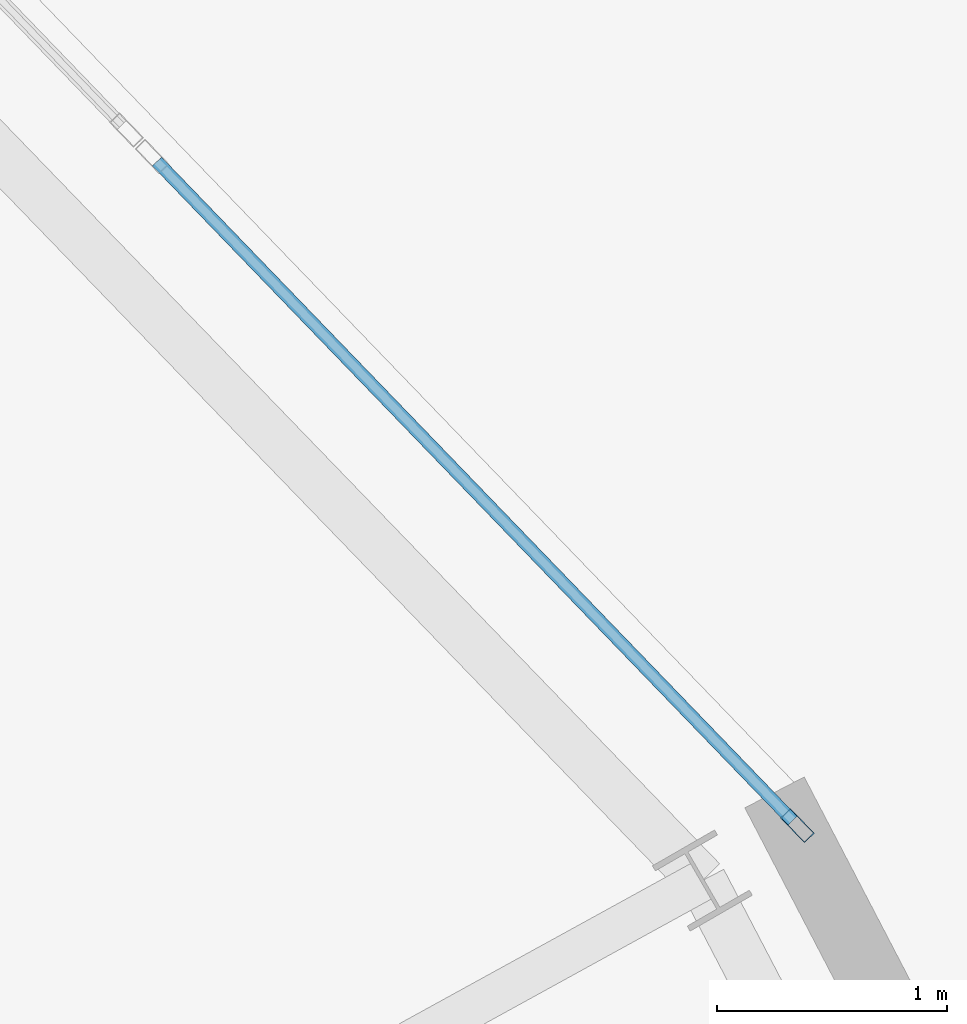
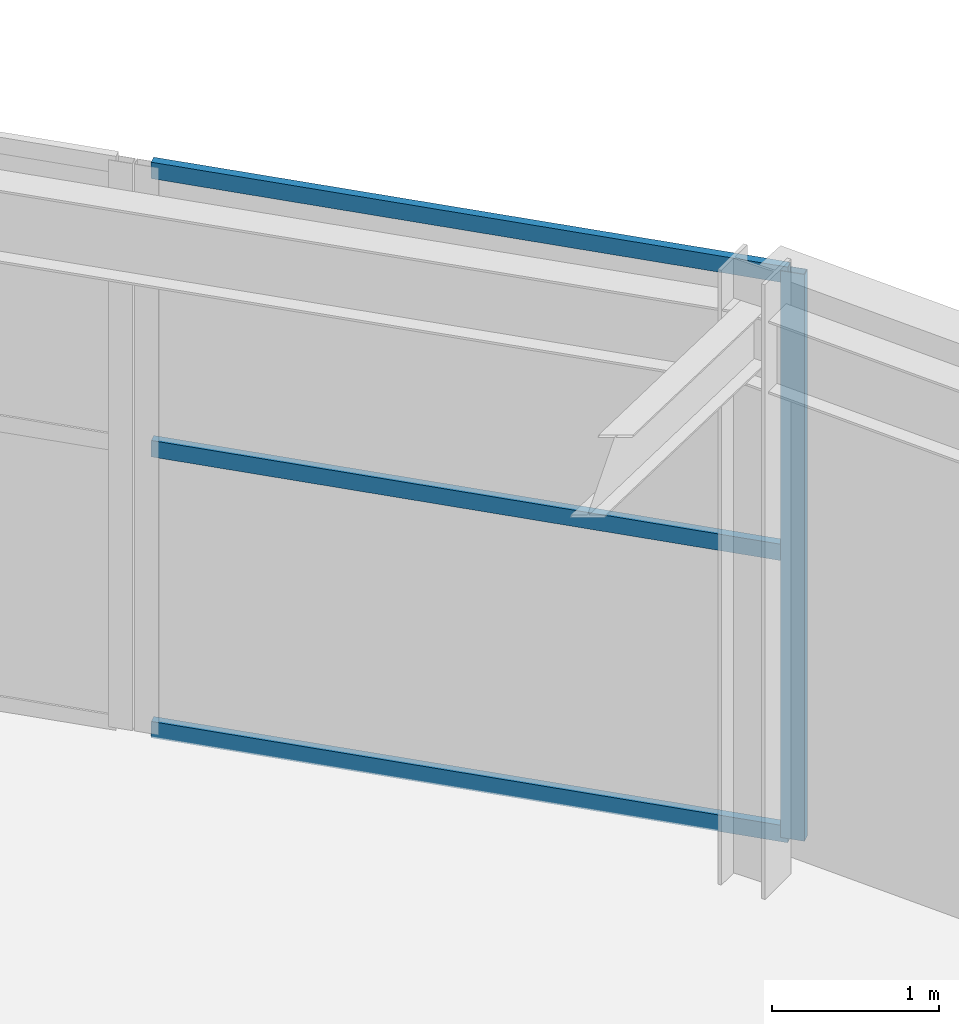
# One storey, part 90 of 126: 4 members, 1 element without a shape of its own.
"""IFC4 building model written with IfcOpenShell, lengths in metres."""

from ifc_helpers import new_model, si_unit, direction, frame, origin, origin_2d, place, context, subcontext, project, spatial, hollow_rectangle, extrude, material, layer, layer_set, material_profile, profile_set, type_object, element, aggregate, save


model = new_model("IFC4")

# Units and contexts
model_context = context("Model", 3, precision=1e-05, world=origin(), true_north=direction((0.0, 1.0)))
body_context = subcontext(model_context, "Body", "Model", "MODEL_VIEW")
ifc_project = project(units=[si_unit("LENGTHUNIT", "METRE"), si_unit("AREAUNIT", "SQUARE_METRE"), si_unit("VOLUMEUNIT", "CUBIC_METRE"), si_unit("PLANEANGLEUNIT", "RADIAN"), si_unit("MASSUNIT", "GRAM", prefix="KILO")], contexts=[model_context])

# Site, building, storey
site_placement = place(None, origin())
site = spatial("IfcSite", under=ifc_project, at=site_placement, CompositionType="ELEMENT")
building_placement = place(site_placement, origin())
building = spatial("IfcBuilding", under=site, at=building_placement, Name="Kalgoora Escarpment Arena", CompositionType="ELEMENT")
storey_placement = place(building_placement, frame((0.0, 0.0, 18.89990234375)))
storey = spatial("IfcBuildingStorey", under=building, at=storey_placement, Name="L04", CompositionType="ELEMENT", Elevation=18.89990234375)

# Curtain wall, members
ifc_material_1 = material(Name=" Champagne anodised aluminium & double-glazed low-E", Category="aluminium")
ifc_layer = layer(ifc_material_1, 0.162109375)
ifc_layer_set = layer_set([ifc_layer], Name="CW-UNIT-18")
curtain_wall_type = type_object("IfcCurtainWallType", Name="CW-UNIT-18", PredefinedType="NOTDEFINED", material=ifc_layer_set)
curtain_wall_placement = place(storey_placement, origin())
curtain_wall = element("IfcCurtainWall", 1, at=curtain_wall_placement, inside=storey, type_object=curtain_wall_type, Name="L04 unitised facade curtain wall 177", PredefinedType="NOTDEFINED")
ifc_material_2 = material(Name="Anodised aluminium 6063-T6", Category="aluminium")
ifc_material_profile_1 = material_profile(ifc_material_2, hollow_rectangle(XDim=0.06005859375, YDim=0.14990234375, WallThickness=0.00341796875, at=origin_2d()))
ifc_profile_set_1 = profile_set([ifc_material_profile_1], Name="Anodised aluminium 6063-T6")
member_type_1 = type_object("IfcMemberType", Name="MEM-CW-MULL-150", PredefinedType="MULLION", material=ifc_profile_set_1)
member_1_placement = place(storey_placement, frame((154.992919921875, 92.73828125, 0.02001953125), z_axis=(0.0, 0.0, 1.0), x_axis=(0.719779772297, 0.69420247723, 0.0)))
member_1 = element("IfcMember", 2, at=member_1_placement, type_object=member_type_1, Name="CW-18 mullion 2", PredefinedType="MULLION", context=body_context, shape_type="SweptSolid", body=[
    extrude(hollow_rectangle(XDim=0.06005859375, YDim=0.14990234375, WallThickness=0.00341796875, at=origin_2d()), origin(), (0.0, 0.0, 1.0), 4.150146484375),
])
ifc_material_3 = material(Name="Anodised aluminium 6063-T6", Category="aluminium")
ifc_material_profile_2 = material_profile(ifc_material_3, hollow_rectangle(XDim=0.054931640625, YDim=0.1201171875, WallThickness=0.003173828125, at=origin_2d()))
ifc_profile_set_2 = profile_set([ifc_material_profile_2], Name="Anodised aluminium 6063-T6")
member_type_2 = type_object("IfcMemberType", Name="MEM-CW-TRAN-120", PredefinedType="USERDEFINED", material=ifc_profile_set_2)
member_2_placement = place(storey_placement, frame((152.2138671875, 95.619873046875, 0.047607421875), z_axis=(0.69417991524, -0.719801531867, 0.0), x_axis=(0.719801531867, 0.69417991524, 0.0)))
member_2 = element("IfcMember", 3, at=member_2_placement, type_object=member_type_2, Name="CW-18 transom 1.1", ObjectType="TRANSOM", PredefinedType="USERDEFINED", context=body_context, shape_type="SweptSolid", body=[
    extrude(hollow_rectangle(XDim=0.054931640625, YDim=0.1201171875, WallThickness=0.003173828125, at=origin_2d()), origin(), (0.0, 0.0, 1.0), 3.973388671875),
])
member_3_placement = place(storey_placement, frame((152.2138671875, 95.619873046875, 2.10498046875), z_axis=(0.69417991524, -0.719801531867, 0.0), x_axis=(0.719801531867, 0.69417991524, 0.0)))
member_3 = element("IfcMember", 4, at=member_3_placement, type_object=member_type_2, Name="CW-18 transom 1.2", ObjectType="TRANSOM", PredefinedType="USERDEFINED", context=body_context, shape_type="SweptSolid", body=[
    extrude(hollow_rectangle(XDim=0.054931640625, YDim=0.1201171875, WallThickness=0.003173828125, at=origin_2d()), origin(), (0.0, 0.0, 1.0), 3.973388671875),
])
member_4_placement = place(storey_placement, frame((152.2138671875, 95.619873046875, 4.142578125), z_axis=(0.69417991524, -0.719801531867, 0.0), x_axis=(0.719801531867, 0.69417991524, 0.0)))
member_4 = element("IfcMember", 5, at=member_4_placement, type_object=member_type_2, Name="CW-18 transom 1.3", ObjectType="TRANSOM", PredefinedType="USERDEFINED", context=body_context, shape_type="SweptSolid", body=[
    extrude(hollow_rectangle(XDim=0.054931640625, YDim=0.1201171875, WallThickness=0.003173828125, at=origin_2d()), origin(), (0.0, 0.0, 1.0), 3.973388671875),
])
aggregate(curtain_wall, [member_1, member_2, member_3, member_4])

save(model, "model.ifc")
